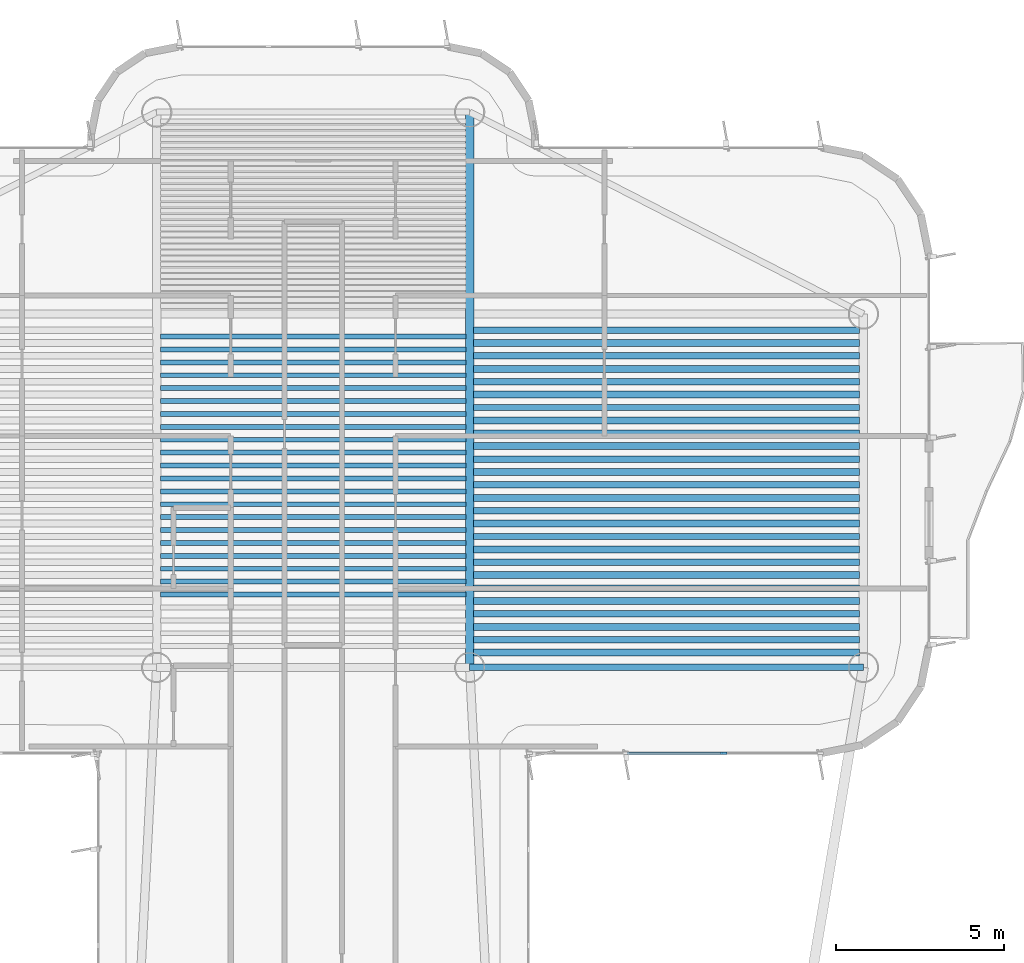
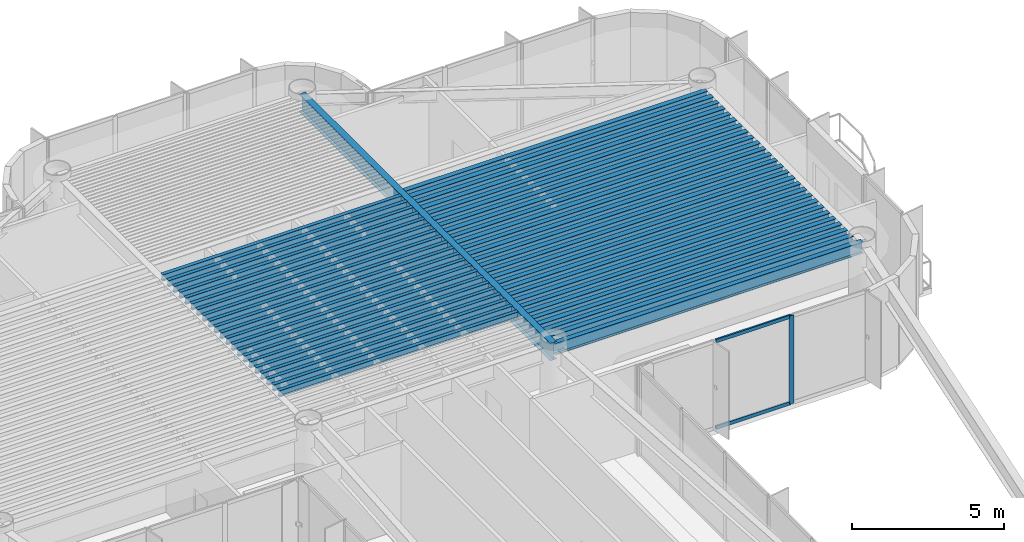
# One storey, part 6 of 15: 49 beams, 3 members, 1 element without a shape of its own.
"""IFC4 building model written with IfcOpenShell, lengths in metres."""

from ifc_helpers import new_model, si_unit, direction, frame, origin, origin_2d, place, context, subcontext, project, spatial, rectangle, i_section, extrude, source, transform, mapped, material, layer, layer_set, material_profile, profile_set, type_object, element, aggregate, save


model = new_model("IFC4")

# Units and contexts
model_context = context("Model", 3, precision=1e-05, world=origin(), true_north=direction((0.0, 1.0)))
body_context = subcontext(model_context, "Body", "Model", "MODEL_VIEW")
ifc_project = project(units=[si_unit("LENGTHUNIT", "METRE"), si_unit("AREAUNIT", "SQUARE_METRE"), si_unit("VOLUMEUNIT", "CUBIC_METRE"), si_unit("PLANEANGLEUNIT", "RADIAN"), si_unit("MASSUNIT", "GRAM", prefix="KILO")], contexts=[model_context])

# Site, building, storey
site_placement = place(None, origin())
site = spatial("IfcSite", under=ifc_project, at=site_placement, CompositionType="ELEMENT")
building_placement = place(site_placement, origin())
building = spatial("IfcBuilding", under=site, at=building_placement, Name="Brelvock Crest Care Tower", CompositionType="ELEMENT")
storey_placement = place(building_placement, frame((0.0, 0.0, 268.3798828125)))
storey = spatial("IfcBuildingStorey", under=building, at=storey_placement, Name="L68", CompositionType="ELEMENT", Elevation=268.3798828125)

# Beams
ifc_material_1 = material(Name="Steel Grade 350", Category="steel")
ifc_material_profile_1 = material_profile(ifc_material_1, i_section(OverallWidth=0.14599609375, OverallDepth=0.256103515625, WebThickness=0.00634765625, FlangeThickness=0.010986328125, FilletRadius=0.0087890625, at=origin_2d()), Name="250UB37.3")
ifc_profile_set_1 = profile_set([ifc_material_profile_1], Name="Steel Grade 350")
beam_type_1 = type_object("IfcBeamType", Name="BM-J3", PredefinedType="JOIST", material=ifc_profile_set_1)
shared_shape_1 = source(origin(), body_context, "Body", "SweptSolid", [
    extrude(i_section(OverallWidth=0.14599609375, OverallDepth=0.256103515625, WebThickness=0.00634765625, FlangeThickness=0.010986328125, FilletRadius=0.0087890625, at=origin_2d()), origin(), (0.0, 0.0, 1.0), 9.06982421875),
])
for number, where, z_axis, x_axis, name in (
    (1, (31.465087890625, 46.115478515625, 3.402099609375), (1.0, 0.0, 0.0), (0.0, 1.0, 0.0), "BM-JH-L68-5"),
    (2, (31.465087890625, 46.498779296875, 3.402099609375), (1.0, 0.0, 0.0), (0.0, 1.0, 0.0), "BM-JH-L68-6"),
    (3, (31.465087890625, 46.882080078125, 3.402099609375), (1.0, 0.0, 0.0), (0.0, 1.0, 0.0), "BM-JH-L68-7"),
    (4, (31.465087890625, 47.265380859375, 3.402099609375), (1.0, 0.0, 0.0), (0.0, 1.0, 0.0), "BM-JH-L68-8"),
    (5, (31.465087890625, 47.648681640625, 3.402099609375), (1.0, 0.0, 0.0), (0.0, 1.0, 0.0), "BM-JH-L68-9"),
    (6, (31.465087890625, 48.031982421875, 3.402099609375), (1.0, 0.0, 0.0), (0.0, 1.0, 0.0), "BM-JH-L68-10"),
    (7, (31.465087890625, 48.4150390625, 3.402099609375), (1.0, 0.0, 0.0), (0.0, 1.0, 0.0), "BM-JH-L68-11"),
    (8, (31.465087890625, 48.79833984375, 3.402099609375), (1.0, 0.0, 0.0), (0.0, 1.0, 0.0), "BM-JH-L68-12"),
    (9, (31.465087890625, 49.181640625, 3.402099609375), (1.0, 0.0, 0.0), (0.0, 1.0, 0.0), "BM-JH-L68-13"),
    (10, (31.465087890625, 49.564697265625, 3.402099609375), (1.0, 0.0, 0.0), (0.0, 1.0, 0.0), "BM-JH-L68-14"),
    (11, (31.465087890625, 49.947998046875, 3.402099609375), (1.0, 0.0, 0.0), (0.0, 1.0, 0.0), "BM-JH-L68-15"),
    (12, (31.465087890625, 50.331298828125, 3.402099609375), (1.0, 0.0, 0.0), (0.0, 1.0, 0.0), "BM-JH-L68-16"),
    (13, (31.465087890625, 50.714599609375, 3.402099609375), (1.0, 0.0, 0.0), (0.0, 1.0, 0.0), "BM-JH-L68-17"),
    (14, (31.465087890625, 51.097900390625, 3.402099609375), (1.0, 0.0, 0.0), (0.0, 1.0, 0.0), "BM-JH-L68-18"),
    (15, (31.465087890625, 51.481201171875, 3.402099609375), (1.0, 0.0, 0.0), (0.0, 1.0, 0.0), "BM-JH-L68-19"),
    (16, (31.465087890625, 51.864501953125, 3.402099609375), (1.0, 0.0, 0.0), (0.0, 1.0, 0.0), "BM-JH-L68-20"),
    (17, (31.465087890625, 52.24755859375, 3.402099609375), (1.0, 0.0, 0.0), (0.0, 1.0, 0.0), "BM-JH-L68-21"),
    (18, (31.465087890625, 52.630859375, 3.402099609375), (1.0, 0.0, 0.0), (0.0, 1.0, 0.0), "BM-JH-L68-22"),
    (19, (31.465087890625, 53.01416015625, 3.402099609375), (1.0, 0.0, 0.0), (0.0, 1.0, 0.0), "BM-JH-L68-23"),
    (20, (31.465087890625, 53.3974609375, 3.402099609375), (1.0, 0.0, 0.0), (0.0, 1.0, 0.0), "BM-JH-L68-24"),
    (21, (31.465087890625, 53.780517578125, 3.402099609375), (1.0, 0.0, 0.0), (0.0, 1.0, 0.0), "BM-JH-L68-25"),
):
    element("IfcBeam", number, at=place(storey_placement, frame(where, z_axis=z_axis, x_axis=x_axis)), inside=storey, type_object=beam_type_1, Name=name, PredefinedType="JOIST", context=body_context, shape_type="MappedRepresentation", body=[
        mapped(shared_shape_1, transform((0.0, 0.0, 0.0), x_axis=(1.0, 0.0, 0.0), y_axis=(0.0, 1.0, 0.0), z_axis=(0.0, 0.0, 1.0), scale=1.0)),
    ])
ifc_material_profile_2 = material_profile(ifc_material_1, i_section(OverallWidth=0.19091796875, OverallDepth=0.4599609375, WebThickness=0.010009765625, FlangeThickness=0.01611328125, FilletRadius=0.011474609375, at=origin_2d()), Name="460UB82.1")
ifc_profile_set_2 = profile_set([ifc_material_profile_2], Name="Steel Grade 350")
beam_type_2 = type_object("IfcBeamType", Name="BM-G3", PredefinedType="BEAM", material=ifc_profile_set_2)
shared_shape_2 = source(origin(), body_context, "Body", "SweptSolid", [
    extrude(i_section(OverallWidth=0.19091796875, OverallDepth=0.4599609375, WebThickness=0.010009765625, FlangeThickness=0.01611328125, FilletRadius=0.011474609375, at=origin_2d()), origin(), (0.0, 0.0, 1.0), 11.47021484375),
])
for number, where, z_axis, x_axis, name in (
    (22, (40.764892578125, 44.7744140625, 3.300048828125), (1.0, 0.0, 0.0), (0.0, 1.0, 0.0), "BM-JE-L68-2"),
    (23, (40.764892578125, 45.540771484375, 3.300048828125), (1.0, 0.0, 0.0), (0.0, 1.0, 0.0), "BM-JE-L68-4"),
    (24, (40.764892578125, 46.307373046875, 3.300048828125), (1.0, 0.0, 0.0), (0.0, 1.0, 0.0), "BM-JE-L68-6"),
    (25, (40.764892578125, 47.07373046875, 3.300048828125), (1.0, 0.0, 0.0), (0.0, 1.0, 0.0), "BM-JE-L68-8"),
    (26, (40.764892578125, 47.84033203125, 3.300048828125), (1.0, 0.0, 0.0), (0.0, 1.0, 0.0), "BM-JE-L68-10"),
    (27, (40.764892578125, 48.606689453125, 3.300048828125), (1.0, 0.0, 0.0), (0.0, 1.0, 0.0), "BM-JE-L68-12"),
    (28, (40.764892578125, 49.373291015625, 3.300048828125), (1.0, 0.0, 0.0), (0.0, 1.0, 0.0), "BM-JE-L68-14"),
    (29, (40.764892578125, 50.139892578125, 3.300048828125), (1.0, 0.0, 0.0), (0.0, 1.0, 0.0), "BM-JE-L68-16"),
    (30, (40.764892578125, 50.90625, 3.300048828125), (1.0, 0.0, 0.0), (0.0, 1.0, 0.0), "BM-JE-L68-18"),
    (31, (40.764892578125, 51.6728515625, 3.300048828125), (1.0, 0.0, 0.0), (0.0, 1.0, 0.0), "BM-JE-L68-20"),
    (32, (40.764892578125, 52.439208984375, 3.300048828125), (1.0, 0.0, 0.0), (0.0, 1.0, 0.0), "BM-JE-L68-22"),
    (33, (40.764892578125, 53.205810546875, 3.300048828125), (1.0, 0.0, 0.0), (0.0, 1.0, 0.0), "BM-JE-L68-24"),
    (34, (40.764892578125, 53.972412109375, 3.300048828125), (1.0, 0.0, 0.0), (0.0, 1.0, 0.0), "BM-JE-L68-26"),
):
    element("IfcBeam", number, at=place(storey_placement, frame(where, z_axis=z_axis, x_axis=x_axis)), inside=storey, type_object=beam_type_2, Name=name, PredefinedType="BEAM", context=body_context, shape_type="MappedRepresentation", body=[
        mapped(shared_shape_2, transform((0.0, 0.0, 0.0), x_axis=(1.0, 0.0, 0.0), y_axis=(0.0, 1.0, 0.0), z_axis=(0.0, 0.0, 1.0), scale=1.0)),
    ])
ifc_material_profile_3 = material_profile(ifc_material_1, i_section(OverallWidth=0.208984375, OverallDepth=0.532958984375, WebThickness=0.01025390625, FlangeThickness=0.015625, FilletRadius=0.013916015625, at=origin_2d()), Name="530UB92.4")
ifc_profile_set_3 = profile_set([ifc_material_profile_3], Name="Steel Grade 350")
beam_type_3 = type_object("IfcBeamType", Name="BM-G2", PredefinedType="BEAM", material=ifc_profile_set_3)
shared_shape_3 = source(origin(), body_context, "Body", "SweptSolid", [
    extrude(i_section(OverallWidth=0.208984375, OverallDepth=0.532958984375, WebThickness=0.01025390625, FlangeThickness=0.015625, FilletRadius=0.013916015625, at=origin_2d()), origin(), (0.0, 0.0, 1.0), 11.47021484375),
])
for number, where, z_axis, x_axis, name in (
    (35, (40.764892578125, 44.39111328125, 3.263671875), (1.0, 0.0, 0.0), (0.0, 1.0, 0.0), "BM-JE-L68-1"),
    (36, (40.764892578125, 45.157470703125, 3.263671875), (1.0, 0.0, 0.0), (0.0, 1.0, 0.0), "BM-JE-L68-3"),
    (37, (40.764892578125, 45.924072265625, 3.263671875), (1.0, 0.0, 0.0), (0.0, 1.0, 0.0), "BM-JE-L68-5"),
    (38, (40.764892578125, 46.6904296875, 3.263671875), (1.0, 0.0, 0.0), (0.0, 1.0, 0.0), "BM-JE-L68-7"),
    (39, (40.764892578125, 47.45703125, 3.263671875), (1.0, 0.0, 0.0), (0.0, 1.0, 0.0), "BM-JE-L68-9"),
    (40, (40.764892578125, 48.223388671875, 3.263671875), (1.0, 0.0, 0.0), (0.0, 1.0, 0.0), "BM-JE-L68-11"),
    (41, (40.764892578125, 48.989990234375, 3.263671875), (1.0, 0.0, 0.0), (0.0, 1.0, 0.0), "BM-JE-L68-13"),
    (42, (40.764892578125, 49.756591796875, 3.263671875), (1.0, 0.0, 0.0), (0.0, 1.0, 0.0), "BM-JE-L68-15"),
    (43, (40.764892578125, 50.52294921875, 3.263671875), (1.0, 0.0, 0.0), (0.0, 1.0, 0.0), "BM-JE-L68-17"),
    (44, (40.764892578125, 51.28955078125, 3.263671875), (1.0, 0.0, 0.0), (0.0, 1.0, 0.0), "BM-JE-L68-19"),
    (45, (40.764892578125, 52.055908203125, 3.263671875), (1.0, 0.0, 0.0), (0.0, 1.0, 0.0), "BM-JE-L68-21"),
    (46, (40.764892578125, 52.822509765625, 3.263671875), (1.0, 0.0, 0.0), (0.0, 1.0, 0.0), "BM-JE-L68-23"),
    (47, (40.764892578125, 53.589111328125, 3.263671875), (1.0, 0.0, 0.0), (0.0, 1.0, 0.0), "BM-JE-L68-25"),
):
    element("IfcBeam", number, at=place(storey_placement, frame(where, z_axis=z_axis, x_axis=x_axis)), inside=storey, type_object=beam_type_3, Name=name, PredefinedType="BEAM", context=body_context, shape_type="MappedRepresentation", body=[
        mapped(shared_shape_3, transform((0.0, 0.0, 0.0), x_axis=(1.0, 0.0, 0.0), y_axis=(0.0, 1.0, 0.0), z_axis=(0.0, 0.0, 1.0), scale=1.0)),
    ])
ifc_material_profile_4 = material_profile(ifc_material_1, i_section(OverallWidth=0.19091796875, OverallDepth=0.4599609375, WebThickness=0.010009765625, FlangeThickness=0.01611328125, FilletRadius=0.011474609375, at=origin_2d()), Name="460UB82.1")
ifc_profile_set_4 = profile_set([ifc_material_profile_4], Name="Steel Grade 350")
beam_type_4 = type_object("IfcBeamType", Name="BM-SP2", PredefinedType="SPANDREL", material=ifc_profile_set_4)
shared_shape_4 = source(origin(), body_context, "Body", "SweptSolid", [
    extrude(i_section(OverallWidth=0.19091796875, OverallDepth=0.4599609375, WebThickness=0.010009765625, FlangeThickness=0.01611328125, FilletRadius=0.011474609375, at=origin_2d()), origin(), (0.0, 0.0, 1.0), 11.7001953125),
])
beam_1_placement = place(storey_placement, frame((40.64990234375, 43.949951171875, 3.300048828125), z_axis=(1.0, 0.0, 0.0), x_axis=(0.0, 1.0, 0.0)))
element("IfcBeam", 48, at=beam_1_placement, inside=storey, type_object=beam_type_4, Name="BM-TWR-L68-04", PredefinedType="SPANDREL", context=body_context, shape_type="MappedRepresentation", body=[
    mapped(shared_shape_4, transform((0.0, 0.0, 0.0), x_axis=(1.0, 0.0, 0.0), y_axis=(0.0, 1.0, 0.0), z_axis=(0.0, 0.0, 1.0), scale=1.0)),
])
ifc_material_profile_5 = material_profile(ifc_material_1, i_section(OverallWidth=0.25, OverallDepth=0.699951171875, WebThickness=0.011962890625, FlangeThickness=0.02001953125, at=origin_2d()), Name="700WB150")
ifc_profile_set_5 = profile_set([ifc_material_profile_5], Name="Steel Grade 350")
beam_type_5 = type_object("IfcBeamType", Name="BM-G4", PredefinedType="BEAM", material=ifc_profile_set_5)
shared_shape_5 = source(origin(), body_context, "Body", "SweptSolid", [
    extrude(i_section(OverallWidth=0.25, OverallDepth=0.699951171875, WebThickness=0.011962890625, FlangeThickness=0.02001953125, at=origin_2d()), origin(), (0.0, 0.0, 1.0), 16.5),
])
beam_2_placement = place(storey_placement, frame((40.64990234375, 43.949951171875, 3.18017578125), z_axis=(0.0, 1.0, 0.0), x_axis=(-1.0, 0.0, 0.0)))
element("IfcBeam", 49, at=beam_2_placement, inside=storey, type_object=beam_type_5, Name="BM-TWR-L68-10", PredefinedType="BEAM", context=body_context, shape_type="MappedRepresentation", body=[
    mapped(shared_shape_5, transform((0.0, 0.0, 0.0), x_axis=(1.0, 0.0, 0.0), y_axis=(0.0, 1.0, 0.0), z_axis=(0.0, 0.0, 1.0), scale=1.0)),
])

# Curtain wall, members
ifc_material_2 = material(Name="Dark Glass Double Glazed Low-E", Category="glass")
ifc_layer = layer(ifc_material_2, 0.239990234375, Name="CWS-5")
ifc_layer_set = layer_set([ifc_layer], Name="Dark Glass Double Glazed Low-E")
curtain_wall_type = type_object("IfcCurtainWallType", Name="CWS-5", PredefinedType="NOTDEFINED", material=ifc_layer_set)
curtain_wall_placement = place(storey_placement, origin())
curtain_wall = element("IfcCurtainWall", 50, at=curtain_wall_placement, inside=storey, type_object=curtain_wall_type, Name="L68 Curtain Wall E44", PredefinedType="NOTDEFINED")
ifc_material_3 = material(Name="Aluminium 6063-T6", Category="aluminium")
ifc_material_profile_6 = material_profile(ifc_material_3, rectangle(XDim=0.06005859375, YDim=0.179931640625, at=origin_2d()), Name="ALU60x180")
ifc_profile_set_6 = profile_set([ifc_material_profile_6], Name="Aluminium 6063-T6")
member_type_1 = type_object("IfcMemberType", Name="CWM-2", PredefinedType="MULLION", material=ifc_profile_set_6)
shared_shape_6 = source(origin(), body_context, "Body", "SweptSolid", [
    extrude(rectangle(XDim=0.06005859375, YDim=0.179931640625, at=origin_2d()), origin(), (0.0, 0.0, 1.0), 3.530029296875),
])
member_1_placement = place(storey_placement, frame((48.199951171875, 41.39990234375, 0.0), z_axis=(0.0, 0.0, 1.0), x_axis=(0.0, -1.0, 0.0)))
member_1 = element("IfcMember", 51, at=member_1_placement, type_object=member_type_1, Name="CW-5 mullion 2", PredefinedType="MULLION", context=body_context, shape_type="MappedRepresentation", body=[
    mapped(shared_shape_6, transform((0.0, 0.0, 0.0), x_axis=(1.0, 0.0, 0.0), y_axis=(0.0, 1.0, 0.0), z_axis=(0.0, 0.0, 1.0), scale=1.0)),
])
ifc_material_profile_7 = material_profile(ifc_material_3, rectangle(XDim=0.06005859375, YDim=0.139892578125, at=origin_2d()), Name="ALU60x140")
ifc_profile_set_7 = profile_set([ifc_material_profile_7], Name="Aluminium 6063-T6")
member_type_2 = type_object("IfcMemberType", Name="CWT-2", PredefinedType="USERDEFINED", material=ifc_profile_set_7)
shared_shape_7 = source(origin(), body_context, "Body", "SweptSolid", [
    extrude(rectangle(XDim=0.06005859375, YDim=0.139892578125, at=origin_2d()), origin(), (0.0, 0.0, 1.0), 2.83984375),
])
member_2_placement = place(storey_placement, frame((48.169921875, 41.39990234375, 0.030029296875), z_axis=(-1.0, 0.0, 0.0), x_axis=(0.0, -1.0, 0.0)))
member_2 = element("IfcMember", 52, at=member_2_placement, type_object=member_type_2, Name="CW-5 transom 2.1", ObjectType="TRANSOM", PredefinedType="USERDEFINED", context=body_context, shape_type="MappedRepresentation", body=[
    mapped(shared_shape_7, transform((0.0, 0.0, 0.0), x_axis=(1.0, 0.0, 0.0), y_axis=(0.0, 1.0, 0.0), z_axis=(0.0, 0.0, 1.0), scale=1.0)),
])
member_3_placement = place(storey_placement, frame((48.169921875, 41.39990234375, 3.5), z_axis=(-1.0, 0.0, 0.0), x_axis=(0.0, -1.0, 0.0)))
member_3 = element("IfcMember", 53, at=member_3_placement, type_object=member_type_2, Name="CW-5 transom 2.2", ObjectType="TRANSOM", PredefinedType="USERDEFINED", context=body_context, shape_type="MappedRepresentation", body=[
    mapped(shared_shape_7, transform((0.0, 0.0, 0.0), x_axis=(1.0, 0.0, 0.0), y_axis=(0.0, 1.0, 0.0), z_axis=(0.0, 0.0, 1.0), scale=1.0)),
])
aggregate(curtain_wall, [member_1, member_2, member_3])

save(model, "model.ifc")
